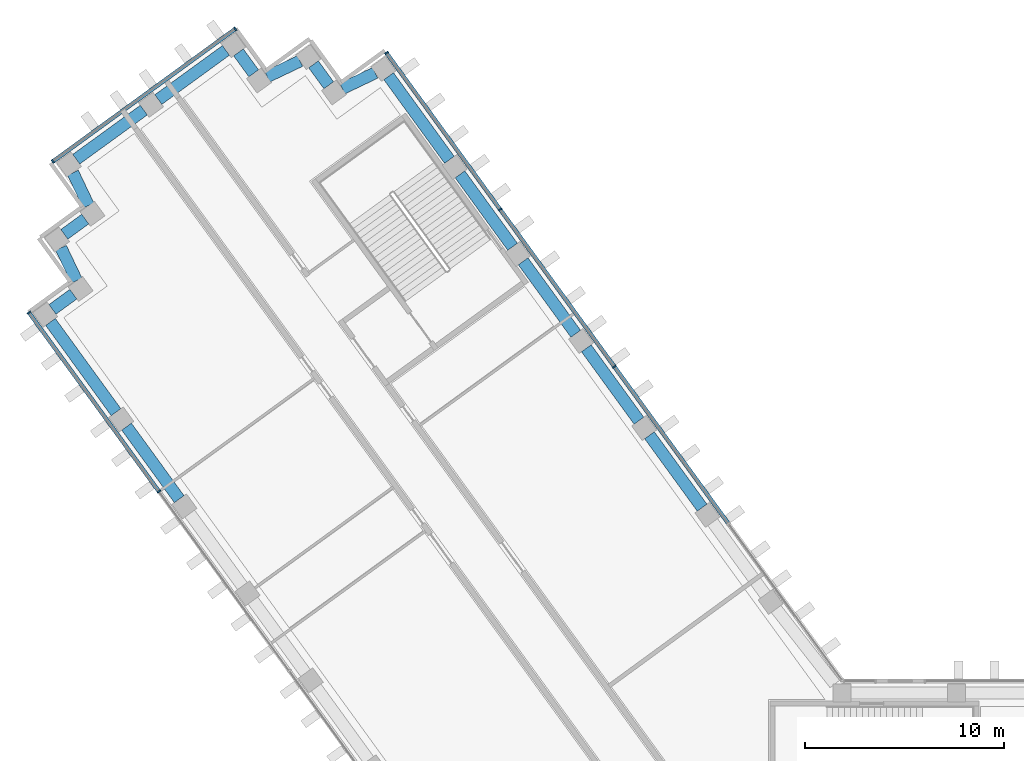
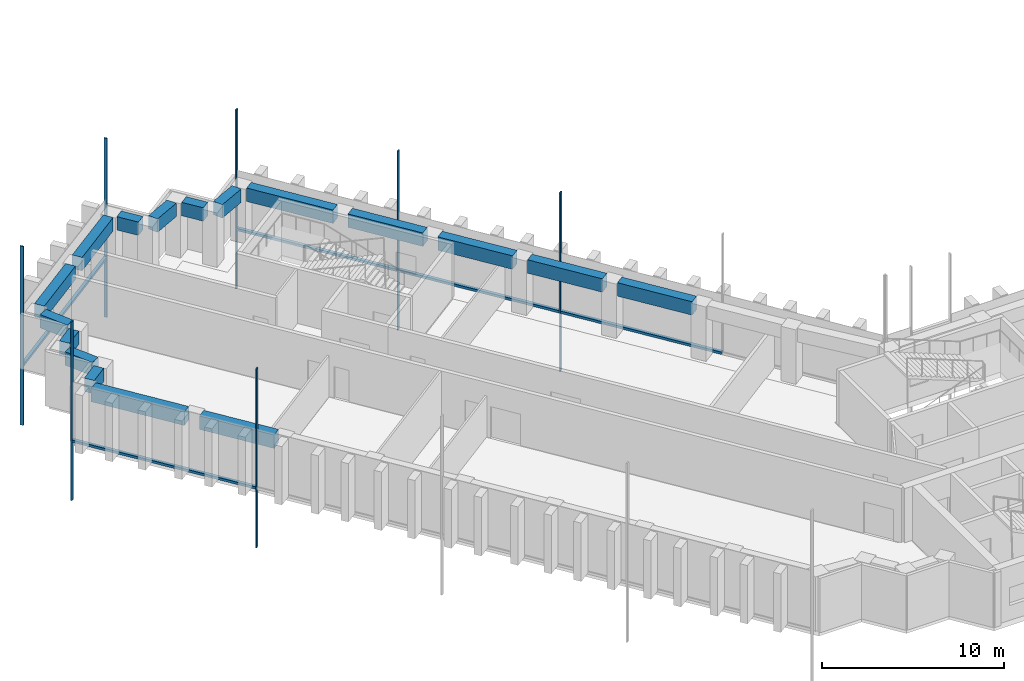
# One storey, part 4 of 16: 17 beams, 12 members, 3 elements without a shape of their own.
"""IFC4 building model written with IfcOpenShell, lengths in metres."""

import ifcopenshell
import ifcopenshell.guid

model = None  # the IFC model being written
_history = None  # IfcOwnerHistory: only IFC2X3 demands one
_inside = {}  # id of a spatial element -> (the spatial element, [elements in it])
_under = {}  # id of a project, library or spatial element -> (it, [spatial elements below it])
_declared = {}  # id of a project -> (the project, [libraries it declares])
_typed = {}  # id of a type object -> (the type object, [elements of that type])
_made_of = {}  # id of a material, layer set ... -> (it, [elements and type objects made of it])


def new_model(schema):
    """Start an empty IFC model of exactly this schema.

    Asked for "IFC4X3", IfcOpenShell would pick the latest addendum, in which some entities
    have other attributes; the version numbers below select the first issue.
    IFC2X3 requires an IfcOwnerHistory on every rooted entity: one is made here for all.
    """
    global model, _history
    if schema == "IFC4X3":
        model = ifcopenshell.file(schema_version=(4, 3, 0, 0))
    else:
        model = ifcopenshell.file(schema=schema)
    _inside.clear()
    _under.clear()
    _declared.clear()
    _typed.clear()
    _made_of.clear()
    _history = None
    if model.schema == "IFC2X3":
        org = make("IfcOrganization", Name="unknown")
        user = make(
            "IfcPersonAndOrganization",
            ThePerson=make("IfcPerson", FamilyName="unknown"),
            TheOrganization=org,
        )
        app = make(
            "IfcApplication",
            ApplicationDeveloper=org,
            Version="unknown",
            ApplicationFullName="unknown",
            ApplicationIdentifier="unknown",
        )
        _history = make(
            "IfcOwnerHistory",
            OwningUser=user,
            OwningApplication=app,
            ChangeAction="ADDED",
            CreationDate=0,
        )
    return model


def make(cls, **values):
    """One entity of the class cls with the attributes given. An attribute that is None is left unset."""
    return model.create_entity(
        cls, **{name: value for name, value in values.items() if value is not None}
    )


def rooted(cls, **values):
    """An entity with a GlobalId (a new one), such as an element, a storey or a relation."""
    return make(cls, GlobalId=ifcopenshell.guid.new(), OwnerHistory=_history, **values)


def si_unit(unit_type, name, prefix=None):
    """IfcSIUnit, for example si_unit("LENGTHUNIT", "METRE", prefix="MILLI")."""
    return make("IfcSIUnit", UnitType=unit_type, Prefix=prefix, Name=name)


def assignment(units):
    """IfcUnitAssignment: the units of a project."""
    return None if units is None else make("IfcUnitAssignment", Units=units)


def point(xyz):
    """IfcCartesianPoint."""
    return None if xyz is None else make("IfcCartesianPoint", Coordinates=xyz)


def direction(xyz):
    """IfcDirection."""
    return None if xyz is None else make("IfcDirection", DirectionRatios=xyz)


def frame(location, z_axis=None, x_axis=None):
    """IfcAxis2Placement3D, a coordinate frame: its origin and axes. An axis left out is left unset."""
    return make(
        "IfcAxis2Placement3D",
        Location=point(location),
        Axis=direction(z_axis),
        RefDirection=direction(x_axis),
    )


def frame_2d(location, x_axis=None):
    """IfcAxis2Placement2D, a coordinate frame in the plane: its origin and x axis."""
    return make(
        "IfcAxis2Placement2D", Location=point(location), RefDirection=direction(x_axis)
    )


def origin():
    """The frame at (0, 0, 0) with its axes left unset."""
    return frame((0.0, 0.0, 0.0))


def origin_2d():
    """The frame at (0, 0) in the plane with its x axis left unset."""
    return frame_2d((0.0, 0.0))


def place(relative_to, where):
    """IfcLocalPlacement: puts the frame where relative to a parent placement (None: the world)."""
    return make(
        "IfcLocalPlacement", PlacementRelTo=relative_to, RelativePlacement=where
    )


def context(
    kind, dimensions, precision=None, world=None, true_north=None, identifier=None
):
    """IfcGeometricRepresentationContext, for example the 3D "Model" context."""
    return make(
        "IfcGeometricRepresentationContext",
        ContextIdentifier=identifier,
        ContextType=kind,
        CoordinateSpaceDimension=dimensions,
        Precision=precision,
        WorldCoordinateSystem=world,
        TrueNorth=true_north,
    )


def subcontext(parent, identifier, kind, view, scale=None):
    """IfcGeometricRepresentationSubContext, for example "Body" below "Model"."""
    return make(
        "IfcGeometricRepresentationSubContext",
        ContextIdentifier=identifier,
        ContextType=kind,
        ParentContext=parent,
        TargetScale=scale,
        TargetView=view,
    )


def project(units=None, contexts=None):
    """IfcProject with its units and contexts."""
    return rooted(
        "IfcProject",
        Name="project",
        RepresentationContexts=contexts,
        UnitsInContext=assignment(units),
    )


def spatial(cls, under=None, at=None, **own):
    """A site, building, storey or space (cls), placed at a placement, below another one or the project."""
    s = rooted(cls, ObjectPlacement=at, **own)
    if under is not None:
        _under.setdefault(under.id(), (under, []))[1].append(s)
    return s


def profile(cls, at=None, kind="AREA", **sizes):
    """A parametric profile (cls). Its sizes go by their IFC names, for example OverallWidth=200.0."""
    return make(cls, ProfileType=kind, Position=at, **sizes)


def rectangle(**sizes):
    """IfcRectangleProfileDef."""
    return profile("IfcRectangleProfileDef", **sizes)


def extrude(swept, where, along, depth):
    """IfcExtrudedAreaSolid: the profile swept, set in the frame where, extruded along a direction by depth."""
    return make(
        "IfcExtrudedAreaSolid",
        SweptArea=swept,
        Position=where,
        ExtrudedDirection=direction(along),
        Depth=depth,
    )


def shape(context_of_items, identifier, shape_type, items):
    """IfcShapeRepresentation: the items that make up one representation, for example the "Body"."""
    return make(
        "IfcShapeRepresentation",
        ContextOfItems=context_of_items,
        RepresentationIdentifier=identifier,
        RepresentationType=shape_type,
        Items=items,
    )


def material(Name=None, Category=None):
    """IfcMaterial."""
    return make("IfcMaterial", Name=Name, Category=Category)


def material_profile(
    of_material, cross_section, Name=None, Category=None, Priority=None
):
    """IfcMaterialProfile: a cross section and its material."""
    return make(
        "IfcMaterialProfile",
        Name=Name,
        Material=of_material,
        Profile=cross_section,
        Priority=Priority,
        Category=Category,
    )


def profile_set(profiles, Name=None, composite=None):
    """IfcMaterialProfileSet."""
    return make(
        "IfcMaterialProfileSet",
        Name=Name,
        MaterialProfiles=profiles,
        CompositeProfile=composite,
    )


def made_of(thing, what):
    """Note that an element or type object is made of a material, layer set ...; save() writes the relation."""
    if what is not None:
        _made_of.setdefault(what.id(), (what, []))[1].append(thing)
    return thing


def type_object(cls, material=None, **own):
    """A type object (cls), such as IfcWallType, which elements share."""
    return made_of(rooted(cls, **own), material)


def element(
    cls,
    number,
    at=None,
    inside=None,
    cuts=None,
    type_object=None,
    material=None,
    context=None,
    identifier="Body",
    shape_type=None,
    held_by="IfcProductDefinitionShape",
    body=None,
    shapes=None,
    **own,
):
    """One element of the class cls, such as IfcWall. Its Tag is "e" and its number.

    at: its placement. inside: the storey or other place that contains it. cuts: it is an
    opening in that element (IfcRelVoidsElement). A single representation is given by context,
    identifier, shape_type and body (its items); several are given by shapes. held_by: the class
    of the entity that holds the representations. save() writes the other relations.
    """
    e = rooted(cls, Tag="e%d" % number, ObjectPlacement=at, **own)
    if body is not None:
        shapes = [shape(context, identifier, shape_type, body)]
    if shapes is not None:
        e.Representation = make(held_by, Representations=shapes)
    if inside is not None:
        _inside.setdefault(inside.id(), (inside, []))[1].append(e)
    if cuts is not None:
        rooted(
            "IfcRelVoidsElement", RelatingBuildingElement=cuts, RelatedOpeningElement=e
        )
    if type_object is not None:
        _typed.setdefault(type_object.id(), (type_object, []))[1].append(e)
    return made_of(e, material)


def aggregate(whole, parts):
    """IfcRelAggregates: a whole, such as a stair, and the parts it consists of."""
    return rooted("IfcRelAggregates", RelatingObject=whole, RelatedObjects=parts)


def save(model, path):
    """Write the relations noted so far, then the file.

    IfcRelAggregates (storeys below a building ...), IfcRelContainedInSpatialStructure (elements
    in a storey), IfcRelDefinesByType, IfcRelAssociatesMaterial and IfcRelDeclares: one each for
    every whole, place, type object, material and project.
    """
    for whole, parts in _under.values():
        aggregate(whole, parts)
    for where, things in _inside.values():
        rooted(
            "IfcRelContainedInSpatialStructure",
            RelatedElements=things,
            RelatingStructure=where,
        )
    for kind, things in _typed.values():
        rooted("IfcRelDefinesByType", RelatedObjects=things, RelatingType=kind)
    for what, things in _made_of.values():
        rooted("IfcRelAssociatesMaterial", RelatedObjects=things, RelatingMaterial=what)
    for by, libraries in _declared.values():
        rooted("IfcRelDeclares", RelatingContext=by, RelatedDefinitions=libraries)
    model.write(path)


model = new_model("IFC4")

# Units and contexts
model_context = context("Model", 3, precision=1e-05, world=origin(), true_north=direction((0.0, 1.0)))
body_context = subcontext(model_context, "Body", "Model", "MODEL_VIEW")
ifc_project = project(units=[si_unit("LENGTHUNIT", "METRE"), si_unit("AREAUNIT", "SQUARE_METRE"), si_unit("VOLUMEUNIT", "CUBIC_METRE"), si_unit("PLANEANGLEUNIT", "RADIAN"), si_unit("MASSUNIT", "GRAM", prefix="KILO")], contexts=[model_context])

# Site, building, storey
site_placement = place(None, origin())
site = spatial("IfcSite", under=ifc_project, at=site_placement, CompositionType="ELEMENT")
building_placement = place(site_placement, origin())
building = spatial("IfcBuilding", under=site, at=building_placement, Name="Quipu Civic Tower", CompositionType="ELEMENT")
storey_placement = place(building_placement, frame((0.0, 0.0, 125.0)))
storey = spatial("IfcBuildingStorey", under=building, at=storey_placement, Name="L29", CompositionType="ELEMENT", Elevation=125.0)

# Curtain wall, members
ifc_material_1 = material(Name="Insulated glass unit", Category="glass")
curtain_wall_type = type_object("IfcCurtainWallType", Name="Office curtain wall CW1", PredefinedType="NOTDEFINED", material=ifc_material_1)
curtain_wall_1_placement = place(storey_placement, origin())
curtain_wall_1 = element("IfcCurtainWall", 1, at=curtain_wall_1_placement, inside=storey, type_object=curtain_wall_type, Name="Office curtain wall CW1 L28 run 1", PredefinedType="NOTDEFINED")
ifc_material_2 = material(Name="Anodised aluminium", Category="aluminium")
ifc_material_profile_1 = material_profile(ifc_material_2, rectangle(XDim=0.199951171875, YDim=0.080078125, at=origin_2d()), Name="RECT 200x80")
ifc_profile_set_1 = profile_set([ifc_material_profile_1], Name="Anodised aluminium")
member_type_1 = type_object("IfcMemberType", Name="Mullion CW1", PredefinedType="MULLION", material=ifc_profile_set_1)
member_1_placement = place(storey_placement, frame((-25.819091796875, 26.893798828125, -3.919921875), z_axis=(0.0, 0.0, 1.0), x_axis=(-0.809016532822, -0.587785887566, 0.0)))
member_1 = element("IfcMember", 2, at=member_1_placement, type_object=member_type_1, Name="CW1 mullion 3", PredefinedType="MULLION", context=body_context, shape_type="SweptSolid", body=[
    extrude(rectangle(XDim=0.199951171875, YDim=0.080078125, at=origin_2d()), origin(), (0.0, 0.0, 1.0), 12.0),
])
member_2_placement = place(storey_placement, frame((-31.556396484375, 34.79052734375, -3.919921875), z_axis=(0.0, 0.0, 1.0), x_axis=(-0.809016532822, -0.587785887566, 0.0)))
member_2 = element("IfcMember", 3, at=member_2_placement, type_object=member_type_1, Name="CW1 mullion 4", PredefinedType="MULLION", context=body_context, shape_type="SweptSolid", body=[
    extrude(rectangle(XDim=0.199951171875, YDim=0.080078125, at=origin_2d()), origin(), (0.0, 0.0, 1.0), 12.0),
])
member_3_placement = place(storey_placement, frame((-37.2705078125, 42.655029296875, -3.919921875), z_axis=(0.0, 0.0, 1.0), x_axis=(-0.809016532822, -0.587785887566, 0.0)))
member_3 = element("IfcMember", 4, at=member_3_placement, type_object=member_type_1, Name="CW1 mullion 5", PredefinedType="MULLION", context=body_context, shape_type="SweptSolid", body=[
    extrude(rectangle(XDim=0.199951171875, YDim=0.080078125, at=origin_2d()), origin(), (0.0, 0.0, 1.0), 12.0),
])

curtain_wall_2_placement = place(storey_placement, origin())
curtain_wall_2 = element("IfcCurtainWall", 5, at=curtain_wall_2_placement, inside=storey, type_object=curtain_wall_type, Name="Office curtain wall CW1 L28 run 6", PredefinedType="NOTDEFINED")
member_4_placement = place(storey_placement, frame((-44.869140625, 43.858642578125, -3.919921875), z_axis=(0.0, 0.0, 1.0), x_axis=(0.587782012621, -0.809019348124, 0.0)))
member_4 = element("IfcMember", 6, at=member_4_placement, type_object=member_type_1, Name="CW1 mullion 1", PredefinedType="MULLION", context=body_context, shape_type="SweptSolid", body=[
    extrude(rectangle(XDim=0.199951171875, YDim=0.080078125, at=origin_2d()), origin(), (0.0, 0.0, 1.0), 12.0),
])
member_5_placement = place(storey_placement, frame((-54.027099609375, 37.204833984375, -3.919921875), z_axis=(0.0, 0.0, 1.0), x_axis=(0.587782012621, -0.809019348124, 0.0)))
member_5 = element("IfcMember", 7, at=member_5_placement, type_object=member_type_1, Name="CW1 mullion 2", PredefinedType="MULLION", context=body_context, shape_type="SweptSolid", body=[
    extrude(rectangle(XDim=0.199951171875, YDim=0.080078125, at=origin_2d()), origin(), (0.0, 0.0, 1.0), 12.0),
])

curtain_wall_3_placement = place(storey_placement, origin())
curtain_wall_3 = element("IfcCurtainWall", 8, at=curtain_wall_3_placement, inside=storey, type_object=curtain_wall_type, Name="Office curtain wall CW1 L28 run 11", PredefinedType="NOTDEFINED")
member_6_placement = place(storey_placement, frame((-55.23046875, 29.606201171875, -3.919921875), z_axis=(0.0, 0.0, 1.0), x_axis=(0.809016770908, 0.587785559869, 0.0)))
member_6 = element("IfcMember", 9, at=member_6_placement, type_object=member_type_1, Name="CW1 mullion 1", PredefinedType="MULLION", context=body_context, shape_type="SweptSolid", body=[
    extrude(rectangle(XDim=0.199951171875, YDim=0.080078125, at=origin_2d()), origin(), (0.0, 0.0, 1.0), 12.0),
])
member_7_placement = place(storey_placement, frame((-48.70458984375, 20.6240234375, -3.919921875), z_axis=(0.0, 0.0, 1.0), x_axis=(0.809016770908, 0.587785559869, 0.0)))
member_7 = element("IfcMember", 10, at=member_7_placement, type_object=member_type_1, Name="CW1 mullion 2", PredefinedType="MULLION", context=body_context, shape_type="SweptSolid", body=[
    extrude(rectangle(XDim=0.199951171875, YDim=0.080078125, at=origin_2d()), origin(), (0.0, 0.0, 1.0), 12.0),
])

# Beams
ifc_material_3 = material(Name="Concrete C50/60", Category="concrete")
ifc_material_profile_2 = material_profile(ifc_material_3, rectangle(XDim=0.60009765625, YDim=0.89990234375, at=origin_2d()), Name="RC600x900")
ifc_profile_set_2 = profile_set([ifc_material_profile_2], Name="Concrete C50/60")
beam_type = type_object("IfcBeamType", Name="Spandrel beam RC 600x900 C50/60", PredefinedType="SPANDREL", material=ifc_profile_set_2)
for number, where, z_axis, x_axis, name in (
    (11, (-21.411865234375, 19.807861328125, 3.199951171875), (-0.587778073121, 0.809022210299, 0.0), (-0.809022210299, -0.587778073121, 0.0), "Spandrel beam L29 W-IN-02 to W-IN-03"),
    (12, (-24.585693359375, 24.1767578125, 3.199951171875), (-0.587778073121, 0.809022210299, 0.0), (-0.809022210299, -0.587778073121, 0.0), "Spandrel beam L29 W-IN-03 to W-IN-04"),
    (13, (-27.759765625, 28.545654296875, 3.199951171875), (-0.587742561851, 0.809048009076, 0.0), (-0.809048009076, -0.587742561851, 0.0), "Spandrel beam L29 W-IN-04 to W-IN-05"),
    (14, (-30.93359375, 32.914306640625, 3.199951171875), (-0.587716763865, 0.809066749701, 0.0), (-0.809066749701, -0.587716763865, 0.0), "Spandrel beam L29 W-IN-05 to W-IN-06"),
):
    element("IfcBeam", number, at=place(storey_placement, frame(where, z_axis=z_axis, x_axis=x_axis)), inside=storey, type_object=beam_type, Name=name, PredefinedType="SPANDREL", context=body_context, shape_type="SweptSolid", body=[
        extrude(rectangle(XDim=0.60009765625, YDim=0.89990234375, at=origin_2d()), origin(), (0.0, 0.0, 1.0), 4.5),
    ])
beam_1_placement = place(storey_placement, frame((-34.107421875, 37.283203125, 3.199951171875), z_axis=(-0.587732861365, 0.80905505602, 0.0), x_axis=(-0.80905505602, -0.587732861365, 0.0)))
element("IfcBeam", 15, at=beam_1_placement, inside=storey, type_object=beam_type, Name="Spandrel beam L29 W-IN-06 to T-Wi.0-W50", PredefinedType="SPANDREL", context=body_context, shape_type="SweptSolid", body=[
    extrude(rectangle(XDim=0.60009765625, YDim=0.89990234375, at=origin_2d()), origin(), (0.0, 0.0, 1.0), 5.194580078125),
])
beam_2_placement = place(storey_placement, frame((-37.837890625, 41.65283203125, 3.199951171875), z_axis=(-0.90245397739, -0.430786279601, 0.0), x_axis=(0.430786279601, -0.90245397739, 0.0)))
element("IfcBeam", 16, at=beam_2_placement, inside=storey, type_object=beam_type, Name="Spandrel beam L29 T-Wi.0-W50 to T-Wi.1-W50", PredefinedType="SPANDREL", context=body_context, shape_type="SweptSolid", body=[
    extrude(rectangle(XDim=0.60009765625, YDim=0.89990234375, at=origin_2d()), origin(), (0.0, 0.0, 1.0), 1.83349609375),
])
beam_3_placement = place(storey_placement, frame((-40.170166015625, 41.02978515625, 3.199951171875), z_axis=(-0.588461937499, 0.808524921146, 0.0), x_axis=(-0.808524921146, -0.588461937499, 0.0)))
element("IfcBeam", 17, at=beam_3_placement, inside=storey, type_object=beam_type, Name="Spandrel beam L29 T-Wi.1-W50 to T-Wi.2-W50", PredefinedType="SPANDREL", context=body_context, shape_type="SweptSolid", body=[
    extrude(rectangle(XDim=0.60009765625, YDim=0.89990234375, at=origin_2d()), origin(), (0.0, 0.0, 1.0), 1.30029296875),
])
beam_4_placement = place(storey_placement, frame((-41.613037109375, 42.248046875, 3.199951171875), z_axis=(-0.902613270121, -0.430452418511, 0.0), x_axis=(0.430452418511, -0.902613270121, 0.0)))
element("IfcBeam", 18, at=beam_4_placement, inside=storey, type_object=beam_type, Name="Spandrel beam L29 T-Wi.2-W50 to T-Wi.3-W50", PredefinedType="SPANDREL", context=body_context, shape_type="SweptSolid", body=[
    extrude(rectangle(XDim=0.60009765625, YDim=0.89990234375, at=origin_2d()), origin(), (0.0, 0.0, 1.0), 1.826416015625),
])
beam_5_placement = place(storey_placement, frame((-43.939453125, 41.628662109375, 3.199951171875), z_axis=(-0.588383572423, 0.808581951136, 0.0), x_axis=(-0.808581951136, -0.588383572423, 0.0)))
element("IfcBeam", 19, at=beam_5_placement, inside=storey, type_object=beam_type, Name="Spandrel beam L29 T-Wi.3-W50 to T-Wi.4-W50", PredefinedType="SPANDREL", context=body_context, shape_type="SweptSolid", body=[
    extrude(rectangle(XDim=0.60009765625, YDim=0.89990234375, at=origin_2d()), origin(), (0.0, 0.0, 1.0), 1.3017578125),
])
beam_6_placement = place(storey_placement, frame((-45.333984375, 42.780517578125, 3.199951171875), z_axis=(-0.808969789945, -0.58785021813, 0.0), x_axis=(0.58785021813, -0.808969789945, 0.0)))
element("IfcBeam", 20, at=beam_6_placement, inside=storey, type_object=beam_type, Name="Spandrel beam L29 T-Wi.4-W50 to TIP-W-01-W50", PredefinedType="SPANDREL", context=body_context, shape_type="SweptSolid", body=[
    extrude(rectangle(XDim=0.60009765625, YDim=0.89990234375, at=origin_2d()), origin(), (0.0, 0.0, 1.0), 4.199951171875),
])
beam_7_placement = place(storey_placement, frame((-49.459716796875, 39.782470703125, 3.199951171875), z_axis=(-0.808959834407, -0.587863918196, 0.0), x_axis=(0.587863918196, -0.808959834407, 0.0)))
element("IfcBeam", 21, at=beam_7_placement, inside=storey, type_object=beam_type, Name="Spandrel beam L29 TIP-W-01-W50 to T-Wo.0-W50", PredefinedType="SPANDREL", context=body_context, shape_type="SweptSolid", body=[
    extrude(rectangle(XDim=0.60009765625, YDim=0.89990234375, at=origin_2d()), origin(), (0.0, 0.0, 1.0), 4.1982421875),
])
beam_8_placement = place(storey_placement, frame((-53.023193359375, 36.63671875, 3.199951171875), z_axis=(0.430166558323, -0.902749540072, 0.0), x_axis=(0.902749540072, 0.430166558323, 0.0)))
element("IfcBeam", 22, at=beam_8_placement, inside=storey, type_object=beam_type, Name="Spandrel beam L29 T-Wo.0-W50 to T-Wo.1-W50", PredefinedType="SPANDREL", context=body_context, shape_type="SweptSolid", body=[
    extrude(rectangle(XDim=0.60009765625, YDim=0.89990234375, at=origin_2d()), origin(), (0.0, 0.0, 1.0), 1.830322265625),
])
beam_9_placement = place(storey_placement, frame((-52.40283203125, 34.306396484375, 3.199951171875), z_axis=(-0.808509099783, -0.588483674853, 0.0), x_axis=(0.588483674853, -0.808509099783, 0.0)))
element("IfcBeam", 23, at=beam_9_placement, inside=storey, type_object=beam_type, Name="Spandrel beam L29 T-Wo.1-W50 to T-Wo.2-W50", PredefinedType="SPANDREL", context=body_context, shape_type="SweptSolid", body=[
    extrude(rectangle(XDim=0.60009765625, YDim=0.89990234375, at=origin_2d()), origin(), (0.0, 0.0, 1.0), 1.302734375),
])
beam_10_placement = place(storey_placement, frame((-53.62255859375, 32.8623046875, 3.199951171875), z_axis=(0.431446050156, -0.902138739776, 0.0), x_axis=(0.902138739776, 0.431446050156, 0.0)))
element("IfcBeam", 24, at=beam_10_placement, inside=storey, type_object=beam_type, Name="Spandrel beam L29 T-Wo.2-W50 to T-Wo.3-W50", PredefinedType="SPANDREL", context=body_context, shape_type="SweptSolid", body=[
    extrude(rectangle(XDim=0.60009765625, YDim=0.89990234375, at=origin_2d()), origin(), (0.0, 0.0, 1.0), 1.828857421875),
])
beam_11_placement = place(storey_placement, frame((-53.0, 30.53466796875, 3.199951171875), z_axis=(-0.808549242423, -0.588428519514, 0.0), x_axis=(0.588428519514, -0.808549242423, 0.0)))
element("IfcBeam", 25, at=beam_11_placement, inside=storey, type_object=beam_type, Name="Spandrel beam L29 T-Wo.3-W50 to T-Wo.4-W50", PredefinedType="SPANDREL", context=body_context, shape_type="SweptSolid", body=[
    extrude(rectangle(XDim=0.60009765625, YDim=0.89990234375, at=origin_2d()), origin(), (0.0, 0.0, 1.0), 1.2998046875),
])
beam_12_placement = place(storey_placement, frame((-54.150390625, 29.140869140625, 3.199951171875), z_axis=(0.587772657145, -0.809026145135, 0.0), x_axis=(0.809026145135, 0.587772657145, 0.0)))
element("IfcBeam", 26, at=beam_12_placement, inside=storey, type_object=beam_type, Name="Spandrel beam L29 T-Wo.4-W50 to W-OUT-07", PredefinedType="SPANDREL", context=body_context, shape_type="SweptSolid", body=[
    extrude(rectangle(XDim=0.60009765625, YDim=0.89990234375, at=origin_2d()), origin(), (0.0, 0.0, 1.0), 5.603271484375),
])
beam_13_placement = place(storey_placement, frame((-50.327880859375, 23.87939453125, 3.199951171875), z_axis=(0.587778073121, -0.809022210299, 0.0), x_axis=(0.809022210299, 0.587778073121, 0.0)))
element("IfcBeam", 27, at=beam_13_placement, inside=storey, type_object=beam_type, Name="Spandrel beam L29 W-OUT-07 to W-OUT-06", PredefinedType="SPANDREL", context=body_context, shape_type="SweptSolid", body=[
    extrude(rectangle(XDim=0.60009765625, YDim=0.89990234375, at=origin_2d()), origin(), (0.0, 0.0, 1.0), 4.5),
])

# Member
ifc_material_4 = material(Name="Anodised aluminium", Category="aluminium")
ifc_material_profile_3 = material_profile(ifc_material_4, rectangle(XDim=0.199951171875, YDim=0.159912109375, at=origin_2d()), Name="RECT 200x160")
ifc_profile_set_3 = profile_set([ifc_material_profile_3], Name="Anodised aluminium")
member_type_2 = type_object("IfcMemberType", Name="Transom CW1", PredefinedType="USERDEFINED", material=ifc_profile_set_3)
member_8_placement = place(storey_placement, frame((-20.105224609375, 19.029296875, 0.080078125), z_axis=(-0.587793764301, 0.80901080997, 0.0), x_axis=(-0.80901080997, -0.587793764301, 0.0)))
member_8 = element("IfcMember", 28, at=member_8_placement, type_object=member_type_2, Name="CW1 transom 2.2", ObjectType="TRANSOM", PredefinedType="USERDEFINED", context=body_context, shape_type="SweptSolid", body=[
    extrude(rectangle(XDim=0.199951171875, YDim=0.159912109375, at=origin_2d()), origin(), (0.0, 0.0, 1.0), 9.680908203125),
])

member_9_placement = place(storey_placement, frame((-25.842529296875, 26.926025390625, 0.080078125), z_axis=(-0.58778177227, 0.809019522748, 0.0), x_axis=(-0.809019522748, -0.58778177227, 0.0)))
member_9 = element("IfcMember", 29, at=member_9_placement, type_object=member_type_2, Name="CW1 transom 3.2", ObjectType="TRANSOM", PredefinedType="USERDEFINED", context=body_context, shape_type="SweptSolid", body=[
    extrude(rectangle(XDim=0.199951171875, YDim=0.159912109375, at=origin_2d()), origin(), (0.0, 0.0, 1.0), 9.68115234375),
])

member_10_placement = place(storey_placement, frame((-31.580078125, 34.822998046875, 0.080078125), z_axis=(-0.587775627857, 0.809023986849, 0.0), x_axis=(-0.809023986849, -0.587775627857, 0.0)))
member_10 = element("IfcMember", 30, at=member_10_placement, type_object=member_type_2, Name="CW1 transom 4.2", ObjectType="TRANSOM", PredefinedType="USERDEFINED", context=body_context, shape_type="SweptSolid", body=[
    extrude(rectangle(XDim=0.199951171875, YDim=0.159912109375, at=origin_2d()), origin(), (0.0, 0.0, 1.0), 9.64111328125),
])

aggregate(curtain_wall_1, [member_1, member_2, member_3, member_8, member_9, member_10])

member_11_placement = place(storey_placement, frame((-44.9013671875, 43.8349609375, 0.080078125), z_axis=(-0.809032792449, -0.587763507495, 0.0), x_axis=(0.587763507495, -0.809032792449, 0.0)))
member_11 = element("IfcMember", 31, at=member_11_placement, type_object=member_type_2, Name="CW1 transom 1.2", ObjectType="TRANSOM", PredefinedType="USERDEFINED", context=body_context, shape_type="SweptSolid", body=[
    extrude(rectangle(XDim=0.199951171875, YDim=0.159912109375, at=origin_2d()), origin(), (0.0, 0.0, 1.0), 11.239990234375),
])

aggregate(curtain_wall_2, [member_4, member_5, member_11])

member_12_placement = place(storey_placement, frame((-55.20703125, 29.573974609375, 0.080078125), z_axis=(0.587779179422, -0.809021406539, 0.0), x_axis=(0.809021406539, 0.587779179422, 0.0)))
member_12 = element("IfcMember", 32, at=member_12_placement, type_object=member_type_2, Name="CW1 transom 1.2", ObjectType="TRANSOM", PredefinedType="USERDEFINED", context=body_context, shape_type="SweptSolid", body=[
    extrude(rectangle(XDim=0.199951171875, YDim=0.159912109375, at=origin_2d()), origin(), (0.0, 0.0, 1.0), 11.02294921875),
])

aggregate(curtain_wall_3, [member_6, member_7, member_12])

save(model, "model.ifc")
